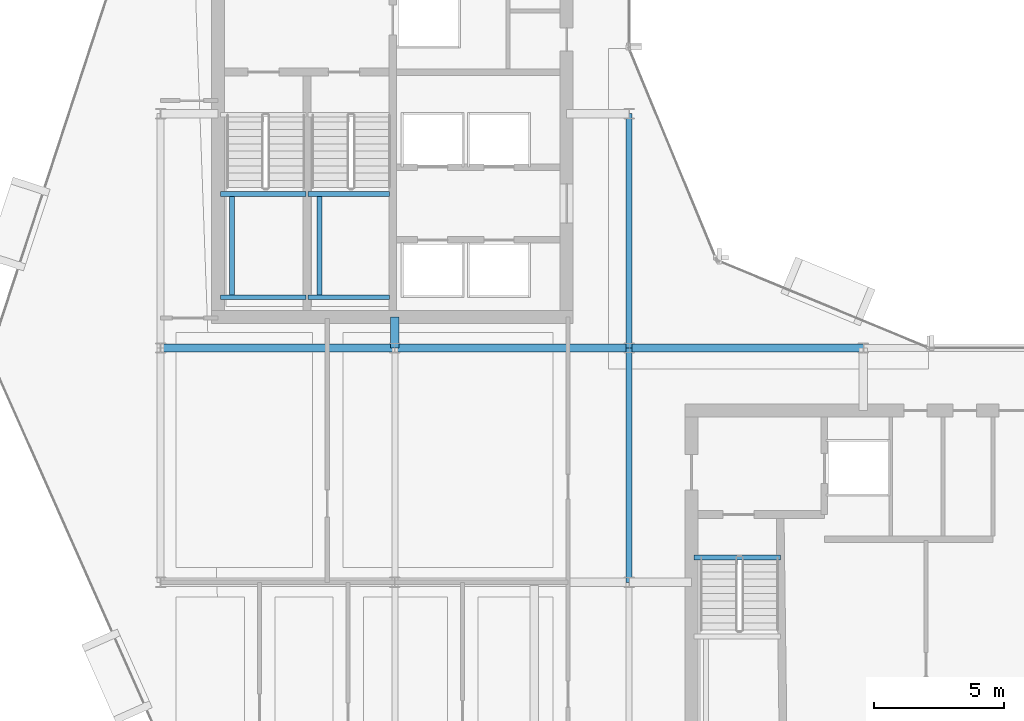
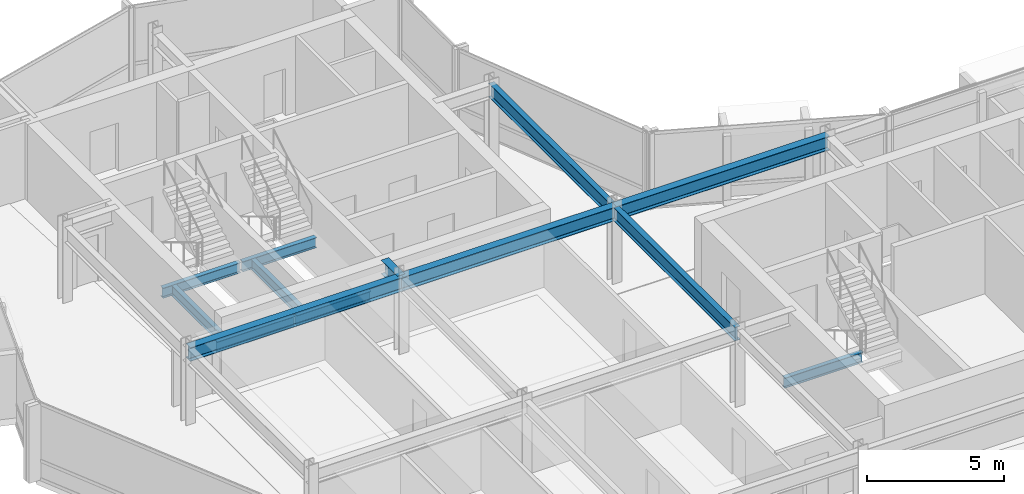
# One storey, part 7 of 27: 13 beams.
"""IFC4 building model written with IfcOpenShell, lengths in metres."""

from ifc_helpers import new_model, si_unit, direction, frame, origin, origin_2d, place, context, subcontext, project, spatial, i_section, extrude, material, material_profile, profile_set, type_object, element, save


model = new_model("IFC4")

# Units and contexts
model_context = context("Model", 3, precision=1e-05, world=origin(), true_north=direction((0.0, 1.0)))
body_context = subcontext(model_context, "Body", "Model", "MODEL_VIEW")
ifc_project = project(units=[si_unit("LENGTHUNIT", "METRE"), si_unit("AREAUNIT", "SQUARE_METRE"), si_unit("VOLUMEUNIT", "CUBIC_METRE"), si_unit("PLANEANGLEUNIT", "RADIAN"), si_unit("MASSUNIT", "GRAM", prefix="KILO")], contexts=[model_context])

# Site, building, storey
site_placement = place(None, origin())
site = spatial("IfcSite", under=ifc_project, at=site_placement, CompositionType="ELEMENT")
building_placement = place(site_placement, origin())
building = spatial("IfcBuilding", under=site, at=building_placement, Name="Solvaryn Broadcast Tower", CompositionType="ELEMENT")
storey_placement = place(building_placement, frame((0.0, 0.0, 221.0)))
storey = spatial("IfcBuildingStorey", under=building, at=storey_placement, Name="L55", CompositionType="ELEMENT", Elevation=221.0)

# Beams
ifc_material_1 = material(Name="Steel ASTM A992 Grade 50", Category="steel")
ifc_material_profile_1 = material_profile(ifc_material_1, i_section(OverallWidth=0.323974609375, OverallDepth=0.611083984375, WebThickness=0.0126953125, FlangeThickness=0.01904296875, FilletRadius=0.014892578125, at=origin_2d()))
ifc_profile_set_1 = profile_set([ifc_material_profile_1], Name="Steel ASTM A992 Grade 50")
beam_type_1 = type_object("IfcBeamType", Name="BM-B1-W24X104", PredefinedType="BEAM", material=ifc_profile_set_1)
for number, where, z_axis, x_axis, name in (
    (1, (9.0, 27.0, 3.114501953125), (1.0, 0.0, 0.0), (0.0, 1.0, 0.0), "L55 Primary Beam X (9-18 @ Y=27)"),
    (2, (18.0, 27.0, 3.114501953125), (1.0, 0.0, 0.0), (0.0, 1.0, 0.0), "L55 Primary Beam X (18-27 @ Y=27)"),
    (3, (27.0, 27.0, 3.114501953125), (1.0, 0.0, 0.0), (0.0, 1.0, 0.0), "L55 Primary Beam X (27-36 @ Y=27)"),
):
    element("IfcBeam", number, at=place(storey_placement, frame(where, z_axis=z_axis, x_axis=x_axis)), inside=storey, type_object=beam_type_1, Name=name, PredefinedType="BEAM", context=body_context, shape_type="SweptSolid", body=[
        extrude(i_section(OverallWidth=0.323974609375, OverallDepth=0.611083984375, WebThickness=0.0126953125, FlangeThickness=0.01904296875, FilletRadius=0.014892578125, at=origin_2d()), origin(), (0.0, 0.0, 1.0), 9.0),
    ])
beam_1_placement = place(storey_placement, frame((18.0, 27.0, 3.114501953125), z_axis=(0.0, 1.0, 0.0), x_axis=(-1.0, 0.0, 0.0)))
element("IfcBeam", 4, at=beam_1_placement, inside=storey, type_object=beam_type_1, Name="L55 Core Tie Beam CTW4", PredefinedType="BEAM", context=body_context, shape_type="SweptSolid", body=[
    extrude(i_section(OverallWidth=0.323974609375, OverallDepth=0.611083984375, WebThickness=0.0126953125, FlangeThickness=0.01904296875, FilletRadius=0.014892578125, at=origin_2d()), origin(), (0.0, 0.0, 1.0), 1.199951171875),
])
ifc_material_2 = material(Name="Steel ASTM A992 Grade 50", Category="steel")
ifc_material_profile_2 = material_profile(ifc_material_2, i_section(OverallWidth=0.22802734375, OverallDepth=0.60791015625, WebThickness=0.01123046875, FlangeThickness=0.017333984375, FilletRadius=0.014892578125, at=origin_2d()))
ifc_profile_set_2 = profile_set([ifc_material_profile_2], Name="Steel ASTM A992 Grade 50")
beam_type_2 = type_object("IfcBeamType", Name="BM-B2-W24X76", PredefinedType="BEAM", material=ifc_profile_set_2)
for number, where, z_axis, x_axis, name in (
    (5, (27.0, 18.0, 3.115966796875), (0.0, 1.0, 0.0), (-1.0, 0.0, 0.0), "L55 Primary Beam Y (18-27 @ X=27)"),
    (6, (27.0, 27.0, 3.115966796875), (0.0, 1.0, 0.0), (-1.0, 0.0, 0.0), "L55 Primary Beam Y (27-36 @ X=27)"),
):
    element("IfcBeam", number, at=place(storey_placement, frame(where, z_axis=z_axis, x_axis=x_axis)), inside=storey, type_object=beam_type_2, Name=name, PredefinedType="BEAM", context=body_context, shape_type="SweptSolid", body=[
        extrude(i_section(OverallWidth=0.22802734375, OverallDepth=0.60791015625, WebThickness=0.01123046875, FlangeThickness=0.017333984375, FilletRadius=0.014892578125, at=origin_2d()), origin(), (0.0, 0.0, 1.0), 9.0),
    ])
ifc_material_3 = material(Name="Steel ASTM A992 Grade 50", Category="steel")
ifc_material_profile_3 = material_profile(ifc_material_3, i_section(OverallWidth=0.18994140625, OverallDepth=0.45703125, WebThickness=0.009033203125, FlangeThickness=0.014404296875, FilletRadius=0.011962890625, at=origin_2d()))
ifc_profile_set_3 = profile_set([ifc_material_profile_3], Name="Steel ASTM A992 Grade 50")
beam_type_3 = type_object("IfcBeamType", Name="BM-B4-W18X50", PredefinedType="BEAM", material=ifc_profile_set_3)
for number, where, z_axis, x_axis, name in (
    (7, (11.300048828125, 28.949951171875, 1.42138671875), (1.0, 0.0, 0.0), (0.0, 1.0, 0.0), "L55 ST1 Landing Support Beam 1A"),
    (8, (11.300048828125, 32.909912109375, 1.42138671875), (1.0, 0.0, 0.0), (0.0, 1.0, 0.0), "L55 ST1 Landing Support Beam 1B"),
):
    element("IfcBeam", number, at=place(storey_placement, frame(where, z_axis=z_axis, x_axis=x_axis)), inside=storey, type_object=beam_type_3, Name=name, PredefinedType="BEAM", context=body_context, shape_type="SweptSolid", body=[
        extrude(i_section(OverallWidth=0.18994140625, OverallDepth=0.45703125, WebThickness=0.009033203125, FlangeThickness=0.014404296875, FilletRadius=0.011962890625, at=origin_2d()), origin(), (0.0, 0.0, 1.0), 3.280029296875),
    ])
beam_2_placement = place(storey_placement, frame((11.75, 28.949951171875, 1.42138671875), z_axis=(0.0, 1.0, 0.0), x_axis=(-1.0, 0.0, 0.0)))
element("IfcBeam", 9, at=beam_2_placement, inside=storey, type_object=beam_type_3, Name="L55 ST1 Landing Cross Stringer 1C", PredefinedType="BEAM", context=body_context, shape_type="SweptSolid", body=[
    extrude(i_section(OverallWidth=0.18994140625, OverallDepth=0.45703125, WebThickness=0.009033203125, FlangeThickness=0.014404296875, FilletRadius=0.011962890625, at=origin_2d()), origin(), (0.0, 0.0, 1.0), 3.9599609375),
])
for number, where, z_axis, x_axis, name in (
    (10, (14.659912109375, 28.949951171875, 1.42138671875), (1.0, 0.0, 0.0), (0.0, 1.0, 0.0), "L55 ST2 Landing Support Beam 1A"),
    (11, (14.659912109375, 32.909912109375, 1.42138671875), (1.0, 0.0, 0.0), (0.0, 1.0, 0.0), "L55 ST2 Landing Support Beam 1B"),
):
    element("IfcBeam", number, at=place(storey_placement, frame(where, z_axis=z_axis, x_axis=x_axis)), inside=storey, type_object=beam_type_3, Name=name, PredefinedType="BEAM", context=body_context, shape_type="SweptSolid", body=[
        extrude(i_section(OverallWidth=0.18994140625, OverallDepth=0.45703125, WebThickness=0.009033203125, FlangeThickness=0.014404296875, FilletRadius=0.011962890625, at=origin_2d()), origin(), (0.0, 0.0, 1.0), 3.14013671875),
    ])
beam_3_placement = place(storey_placement, frame((15.110107421875, 28.949951171875, 1.42138671875), z_axis=(0.0, 1.0, 0.0), x_axis=(-1.0, 0.0, 0.0)))
element("IfcBeam", 12, at=beam_3_placement, inside=storey, type_object=beam_type_3, Name="L55 ST2 Landing Cross Stringer 1C", PredefinedType="BEAM", context=body_context, shape_type="SweptSolid", body=[
    extrude(i_section(OverallWidth=0.18994140625, OverallDepth=0.45703125, WebThickness=0.009033203125, FlangeThickness=0.014404296875, FilletRadius=0.011962890625, at=origin_2d()), origin(), (0.0, 0.0, 1.0), 3.9599609375),
])
beam_4_placement = place(storey_placement, frame((29.5, 18.9599609375, -0.508544921875), z_axis=(1.0, 0.0, 0.0), x_axis=(0.0, 1.0, 0.0)))
element("IfcBeam", 13, at=beam_4_placement, inside=storey, type_object=beam_type_3, Name="L55 ST3 Stair Well Trimmer Beam", PredefinedType="BEAM", context=body_context, shape_type="SweptSolid", body=[
    extrude(i_section(OverallWidth=0.18994140625, OverallDepth=0.45703125, WebThickness=0.009033203125, FlangeThickness=0.014404296875, FilletRadius=0.011962890625, at=origin_2d()), origin(), (0.0, 0.0, 1.0), 3.320068359375),
])

save(model, "model.ifc")
